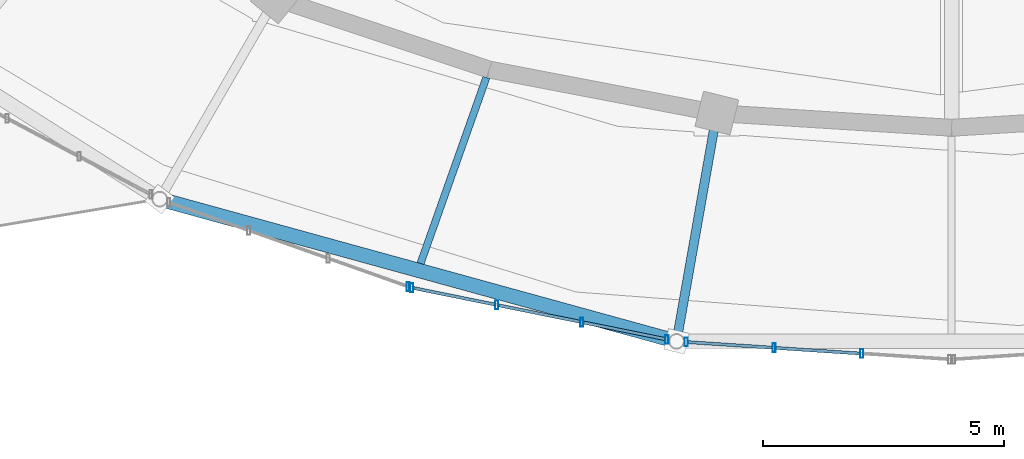
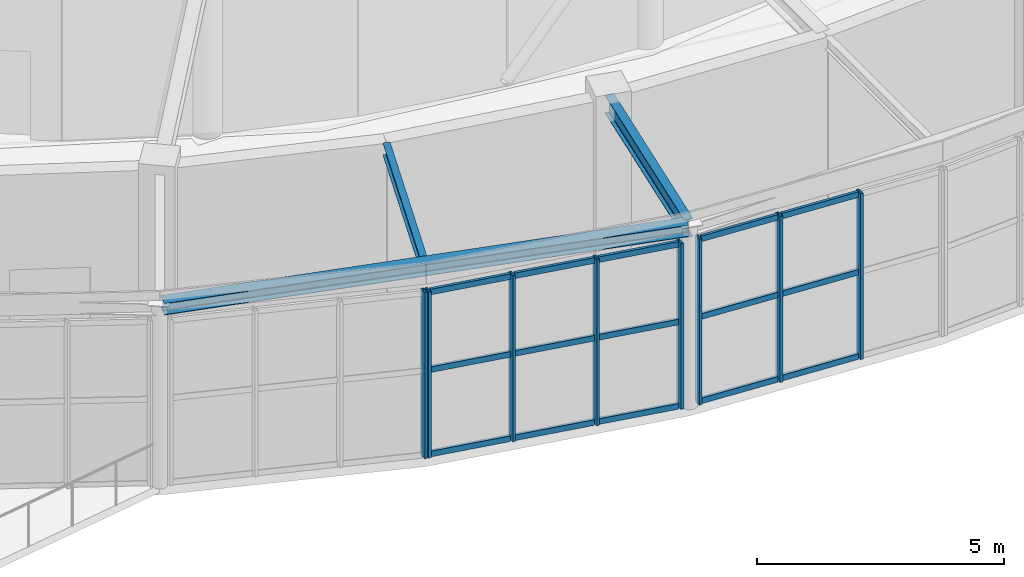
# One storey, part 38 of 108: 23 members, 3 beams, 3 elements without a shape of their own.
"""IFC4 building model written with IfcOpenShell, lengths in metres."""

from ifc_helpers import new_model, si_unit, direction, frame, origin, origin_2d, place, context, subcontext, project, spatial, hollow_rectangle, i_section, extrude, material, material_profile, profile_set, type_object, element, aggregate, save


model = new_model("IFC4")

# Units and contexts
model_context = context("Model", 3, precision=1e-05, world=origin(), true_north=direction((0.0, 1.0)))
body_context = subcontext(model_context, "Body", "Model", "MODEL_VIEW")
ifc_project = project(units=[si_unit("LENGTHUNIT", "METRE"), si_unit("AREAUNIT", "SQUARE_METRE"), si_unit("VOLUMEUNIT", "CUBIC_METRE"), si_unit("PLANEANGLEUNIT", "RADIAN"), si_unit("MASSUNIT", "GRAM", prefix="KILO")], contexts=[model_context])

# Site, building, storey
site_placement = place(None, origin())
site = spatial("IfcSite", under=ifc_project, at=site_placement, CompositionType="ELEMENT")
building_placement = place(site_placement, origin())
building = spatial("IfcBuilding", under=site, at=building_placement, Name="Tarnveldt Headland Concert Hall", CompositionType="ELEMENT")
storey_placement = place(building_placement, frame((0.0, 0.0, 9.60009765625)))
storey = spatial("IfcBuildingStorey", under=building, at=storey_placement, Name="L02", CompositionType="ELEMENT", Elevation=9.60009765625)

# Curtain wall, member
ifc_material_1 = material(Name="Marine-anodised aluminium EN AW-6063-T6", Category="aluminium")
curtain_wall_type = type_object("IfcCurtainWallType", Name="CW-F3", PredefinedType="NOTDEFINED", material=ifc_material_1)
curtain_wall_1_placement = place(storey_placement, origin())
curtain_wall_1 = element("IfcCurtainWall", 1, at=curtain_wall_1_placement, inside=storey, type_object=curtain_wall_type, Name="Curtain wall CW-L02-083", PredefinedType="NOTDEFINED")
ifc_material_profile_1 = material_profile(ifc_material_1, hollow_rectangle(XDim=0.06494140625, YDim=0.179931640625, WallThickness=0.00390625, at=origin_2d()), Name="ALU MULLION 65x180x4", Category="aluminium")
ifc_profile_set_1 = profile_set([ifc_material_profile_1], Name="Marine-anodised aluminium EN AW-6063-T6")
member_type_1 = type_object("IfcMemberType", Name="ML-180", PredefinedType="MULLION", material=ifc_profile_set_1)
member_1_placement = place(storey_placement, frame((72.243896484375, 31.208984375, 0.0), z_axis=(0.0, 0.0, 1.0), x_axis=(1.0, 0.0, 0.0)))
member_1 = element("IfcMember", 2, at=member_1_placement, type_object=member_type_1, Name="Mullion CW-L02-083-4", PredefinedType="MULLION", context=body_context, shape_type="SweptSolid", body=[
    extrude(hollow_rectangle(XDim=0.06494140625, YDim=0.179931640625, WallThickness=0.00390625, at=origin_2d()), origin(), (0.0, 0.0, 1.0), 4.10791015625),
])
aggregate(curtain_wall_1, [member_1])

# Curtain wall, members
curtain_wall_2_placement = place(storey_placement, origin())
curtain_wall_2 = element("IfcCurtainWall", 3, at=curtain_wall_2_placement, inside=storey, type_object=curtain_wall_type, Name="Curtain wall CW-L02-084", PredefinedType="NOTDEFINED")
member_2_placement = place(storey_placement, frame((72.32080078125, 31.187744140625, 0.0), z_axis=(0.0, 0.0, 1.0), x_axis=(1.0, 0.0, 0.0)))
member_2 = element("IfcMember", 4, at=member_2_placement, type_object=member_type_1, Name="Mullion CW-L02-084-1", PredefinedType="MULLION", context=body_context, shape_type="SweptSolid", body=[
    extrude(hollow_rectangle(XDim=0.06494140625, YDim=0.179931640625, WallThickness=0.00390625, at=origin_2d()), origin(), (0.0, 0.0, 1.0), 4.10791015625),
])
member_3_placement = place(storey_placement, frame((74.082763671875, 30.830810546875, 0.0), z_axis=(0.0, 0.0, 1.0), x_axis=(1.0, 0.0, 0.0)))
member_3 = element("IfcMember", 5, at=member_3_placement, type_object=member_type_1, Name="Mullion CW-L02-084-2", PredefinedType="MULLION", context=body_context, shape_type="SweptSolid", body=[
    extrude(hollow_rectangle(XDim=0.06494140625, YDim=0.179931640625, WallThickness=0.00390625, at=origin_2d()), origin(), (0.0, 0.0, 1.0), 4.10791015625),
])
member_4_placement = place(storey_placement, frame((75.844482421875, 30.473876953125, 0.0), z_axis=(0.0, 0.0, 1.0), x_axis=(1.0, 0.0, 0.0)))
member_4 = element("IfcMember", 6, at=member_4_placement, type_object=member_type_1, Name="Mullion CW-L02-084-3", PredefinedType="MULLION", context=body_context, shape_type="SweptSolid", body=[
    extrude(hollow_rectangle(XDim=0.06494140625, YDim=0.179931640625, WallThickness=0.00390625, at=origin_2d()), origin(), (0.0, 0.0, 1.0), 4.10791015625),
])
member_5_placement = place(storey_placement, frame((77.6064453125, 30.116943359375, 0.0), z_axis=(0.0, 0.0, 1.0), x_axis=(1.0, 0.0, 0.0)))
member_5 = element("IfcMember", 7, at=member_5_placement, type_object=member_type_1, Name="Mullion CW-L02-084-4", PredefinedType="MULLION", context=body_context, shape_type="SweptSolid", body=[
    extrude(hollow_rectangle(XDim=0.06494140625, YDim=0.179931640625, WallThickness=0.00390625, at=origin_2d()), origin(), (0.0, 0.0, 1.0), 4.10791015625),
])

curtain_wall_3_placement = place(storey_placement, origin())
curtain_wall_3 = element("IfcCurtainWall", 8, at=curtain_wall_3_placement, inside=storey, type_object=curtain_wall_type, Name="Curtain wall CW-L02-085", PredefinedType="NOTDEFINED")
member_6_placement = place(storey_placement, frame((78.005859375, 30.0634765625, 0.0), z_axis=(0.0, 0.0, 1.0), x_axis=(1.0, 0.0, 0.0)))
member_6 = element("IfcMember", 9, at=member_6_placement, type_object=member_type_1, Name="Mullion CW-L02-085-1", PredefinedType="MULLION", context=body_context, shape_type="SweptSolid", body=[
    extrude(hollow_rectangle(XDim=0.06494140625, YDim=0.179931640625, WallThickness=0.00390625, at=origin_2d()), origin(), (0.0, 0.0, 1.0), 4.10791015625),
])
member_7_placement = place(storey_placement, frame((79.823974609375, 29.943115234375, 0.0), z_axis=(0.0, 0.0, 1.0), x_axis=(1.0, 0.0, 0.0)))
member_7 = element("IfcMember", 10, at=member_7_placement, type_object=member_type_1, Name="Mullion CW-L02-085-2", PredefinedType="MULLION", context=body_context, shape_type="SweptSolid", body=[
    extrude(hollow_rectangle(XDim=0.06494140625, YDim=0.179931640625, WallThickness=0.00390625, at=origin_2d()), origin(), (0.0, 0.0, 1.0), 4.10791015625),
])
member_8_placement = place(storey_placement, frame((81.64208984375, 29.822998046875, 0.0), z_axis=(0.0, 0.0, 1.0), x_axis=(1.0, 0.0, 0.0)))
member_8 = element("IfcMember", 11, at=member_8_placement, type_object=member_type_1, Name="Mullion CW-L02-085-3", PredefinedType="MULLION", context=body_context, shape_type="SweptSolid", body=[
    extrude(hollow_rectangle(XDim=0.06494140625, YDim=0.179931640625, WallThickness=0.00390625, at=origin_2d()), origin(), (0.0, 0.0, 1.0), 4.10791015625),
])

# Beams
ifc_material_2 = material(Name="Steel S355", Category="steel")
ifc_material_profile_2 = material_profile(ifc_material_2, i_section(OverallWidth=0.300048828125, OverallDepth=0.2900390625, WebThickness=0.008544921875, FlangeThickness=0.013916015625, FilletRadius=0.027099609375, at=origin_2d()), Name="HEA300", Category="steel")
ifc_profile_set_2 = profile_set([ifc_material_profile_2], Name="Steel S355")
beam_type_1 = type_object("IfcBeamType", Name="SB-HEA300", PredefinedType="SPANDREL", material=ifc_profile_set_2)
beam_1_placement = place(storey_placement, frame((67.15771484375, 33.006591796875, 4.4248046875), z_axis=(0.964161617091, -0.265315616065, 0.0), x_axis=(0.265315616065, 0.964161617091, 0.0)))
element("IfcBeam", 12, at=beam_1_placement, inside=storey, type_object=beam_type_1, Name="Framing beam L02-1031", PredefinedType="SPANDREL", context=body_context, shape_type="SweptSolid", body=[
    extrude(i_section(OverallWidth=0.300048828125, OverallDepth=0.2900390625, WebThickness=0.008544921875, FlangeThickness=0.013916015625, FilletRadius=0.027099609375, at=origin_2d()), origin(), (0.0, 0.0, 1.0), 10.982421875),
])
ifc_material_profile_3 = material_profile(ifc_material_2, i_section(OverallWidth=0.14990234375, OverallDepth=0.300048828125, WebThickness=0.007080078125, FlangeThickness=0.0107421875, FilletRadius=0.014892578125, at=origin_2d()), Name="IPE300", Category="steel")
ifc_profile_set_3 = profile_set([ifc_material_profile_3], Name="Steel S355")
beam_type_2 = type_object("IfcBeamType", Name="SB-IPE300", PredefinedType="JOIST", material=ifc_profile_set_3)
beam_2_placement = place(storey_placement, frame((73.864990234375, 35.541015625, 4.419921875), z_axis=(-0.33369553072, -0.942680907188, 0.0), x_axis=(0.942680907188, -0.33369553072, 0.0)))
element("IfcBeam", 13, at=beam_2_placement, inside=storey, type_object=beam_type_2, Name="Framing beam L02-1033", PredefinedType="JOIST", context=body_context, shape_type="SweptSolid", body=[
    extrude(i_section(OverallWidth=0.14990234375, OverallDepth=0.300048828125, WebThickness=0.007080078125, FlangeThickness=0.0107421875, FilletRadius=0.014892578125, at=origin_2d()), origin(), (0.0, 0.0, 1.0), 4.083984375),
])
ifc_material_profile_4 = material_profile(ifc_material_2, i_section(OverallWidth=0.18994140625, OverallDepth=0.449951171875, WebThickness=0.009521484375, FlangeThickness=0.0146484375, FilletRadius=0.02099609375, at=origin_2d()), Name="IPE450", Category="steel")
ifc_profile_set_4 = profile_set([ifc_material_profile_4], Name="Steel S355")
beam_type_3 = type_object("IfcBeamType", Name="SB-IPE450", PredefinedType="BEAM", material=ifc_profile_set_4)
beam_3_placement = place(storey_placement, frame((78.631103515625, 34.764404296875, 4.344970703125), z_axis=(-0.173708285572, -0.984797152475, 0.0), x_axis=(0.984797152475, -0.173708285572, 0.0)))
element("IfcBeam", 14, at=beam_3_placement, inside=storey, type_object=beam_type_3, Name="Framing beam L02-1035", PredefinedType="BEAM", context=body_context, shape_type="SweptSolid", body=[
    extrude(i_section(OverallWidth=0.18994140625, OverallDepth=0.449951171875, WebThickness=0.009521484375, FlangeThickness=0.0146484375, FilletRadius=0.02099609375, at=origin_2d()), origin(), (0.0, 0.0, 1.0), 4.699951171875),
])

# Member
ifc_material_profile_5 = material_profile(ifc_material_1, hollow_rectangle(XDim=0.06494140625, YDim=0.139892578125, WallThickness=0.00390625, at=origin_2d()), Name="ALU TRANSOM 65x140x4", Category="aluminium")
ifc_profile_set_5 = profile_set([ifc_material_profile_5], Name="Marine-anodised aluminium EN AW-6063-T6")
member_type_2 = type_object("IfcMemberType", Name="TR-140", PredefinedType="MEMBER", material=ifc_profile_set_5)
member_9_placement = place(storey_placement, frame((72.364501953125, 31.178955078125, 0.0498046875), z_axis=(0.980077374986, -0.198616059372, 0.0), x_axis=(0.198616059372, 0.980077374986, 0.0)))
member_9 = element("IfcMember", 15, at=member_9_placement, type_object=member_type_2, Name="Transom CW-L02-084-1-1", PredefinedType="MEMBER", context=body_context, shape_type="SweptSolid", body=[
    extrude(hollow_rectangle(XDim=0.06494140625, YDim=0.139892578125, WallThickness=0.00390625, at=origin_2d()), origin(), (0.0, 0.0, 1.0), 1.70849609375),
])

member_10_placement = place(storey_placement, frame((72.364501953125, 31.178955078125, 2.135986328125), z_axis=(0.980077374986, -0.198616059372, 0.0), x_axis=(0.198616059372, 0.980077374986, 0.0)))
member_10 = element("IfcMember", 16, at=member_10_placement, type_object=member_type_2, Name="Transom CW-L02-084-1-2", PredefinedType="MEMBER", context=body_context, shape_type="SweptSolid", body=[
    extrude(hollow_rectangle(XDim=0.06494140625, YDim=0.139892578125, WallThickness=0.00390625, at=origin_2d()), origin(), (0.0, 0.0, 1.0), 1.70849609375),
])

member_11_placement = place(storey_placement, frame((72.364501953125, 31.178955078125, 4.057861328125), z_axis=(0.980077374986, -0.198616059372, 0.0), x_axis=(0.198616059372, 0.980077374986, 0.0)))
member_11 = element("IfcMember", 17, at=member_11_placement, type_object=member_type_2, Name="Transom CW-L02-084-1-3", PredefinedType="MEMBER", context=body_context, shape_type="SweptSolid", body=[
    extrude(hollow_rectangle(XDim=0.06494140625, YDim=0.139892578125, WallThickness=0.00390625, at=origin_2d()), origin(), (0.0, 0.0, 1.0), 1.70849609375),
])

member_12_placement = place(storey_placement, frame((74.126220703125, 30.822021484375, 0.0498046875), z_axis=(0.980083010546, -0.198588248493, 0.0), x_axis=(0.198588248493, 0.980083010546, 0.0)))
member_12 = element("IfcMember", 18, at=member_12_placement, type_object=member_type_2, Name="Transom CW-L02-084-2-1", PredefinedType="MEMBER", context=body_context, shape_type="SweptSolid", body=[
    extrude(hollow_rectangle(XDim=0.06494140625, YDim=0.139892578125, WallThickness=0.00390625, at=origin_2d()), origin(), (0.0, 0.0, 1.0), 1.708740234375),
])

member_13_placement = place(storey_placement, frame((74.126220703125, 30.822021484375, 2.135986328125), z_axis=(0.980083010546, -0.198588248493, 0.0), x_axis=(0.198588248493, 0.980083010546, 0.0)))
member_13 = element("IfcMember", 19, at=member_13_placement, type_object=member_type_2, Name="Transom CW-L02-084-2-2", PredefinedType="MEMBER", context=body_context, shape_type="SweptSolid", body=[
    extrude(hollow_rectangle(XDim=0.06494140625, YDim=0.139892578125, WallThickness=0.00390625, at=origin_2d()), origin(), (0.0, 0.0, 1.0), 1.708740234375),
])

member_14_placement = place(storey_placement, frame((74.126220703125, 30.822021484375, 4.057861328125), z_axis=(0.980083010546, -0.198588248493, 0.0), x_axis=(0.198588248493, 0.980083010546, 0.0)))
member_14 = element("IfcMember", 20, at=member_14_placement, type_object=member_type_2, Name="Transom CW-L02-084-2-3", PredefinedType="MEMBER", context=body_context, shape_type="SweptSolid", body=[
    extrude(hollow_rectangle(XDim=0.06494140625, YDim=0.139892578125, WallThickness=0.00390625, at=origin_2d()), origin(), (0.0, 0.0, 1.0), 1.708740234375),
])

member_15_placement = place(storey_placement, frame((75.88818359375, 30.465087890625, 0.0498046875), z_axis=(0.980077374986, -0.198616059372, 0.0), x_axis=(0.198616059372, 0.980077374986, 0.0)))
member_15 = element("IfcMember", 21, at=member_15_placement, type_object=member_type_2, Name="Transom CW-L02-084-3-1", PredefinedType="MEMBER", context=body_context, shape_type="SweptSolid", body=[
    extrude(hollow_rectangle(XDim=0.06494140625, YDim=0.139892578125, WallThickness=0.00390625, at=origin_2d()), origin(), (0.0, 0.0, 1.0), 1.70849609375),
])

member_16_placement = place(storey_placement, frame((75.88818359375, 30.465087890625, 2.135986328125), z_axis=(0.980077374986, -0.198616059372, 0.0), x_axis=(0.198616059372, 0.980077374986, 0.0)))
member_16 = element("IfcMember", 22, at=member_16_placement, type_object=member_type_2, Name="Transom CW-L02-084-3-2", PredefinedType="MEMBER", context=body_context, shape_type="SweptSolid", body=[
    extrude(hollow_rectangle(XDim=0.06494140625, YDim=0.139892578125, WallThickness=0.00390625, at=origin_2d()), origin(), (0.0, 0.0, 1.0), 1.70849609375),
])

member_17_placement = place(storey_placement, frame((75.88818359375, 30.465087890625, 4.057861328125), z_axis=(0.980077374986, -0.198616059372, 0.0), x_axis=(0.198616059372, 0.980077374986, 0.0)))
member_17 = element("IfcMember", 23, at=member_17_placement, type_object=member_type_2, Name="Transom CW-L02-084-3-3", PredefinedType="MEMBER", context=body_context, shape_type="SweptSolid", body=[
    extrude(hollow_rectangle(XDim=0.06494140625, YDim=0.139892578125, WallThickness=0.00390625, at=origin_2d()), origin(), (0.0, 0.0, 1.0), 1.70849609375),
])

aggregate(curtain_wall_2, [member_2, member_3, member_4, member_5, member_9, member_10, member_11, member_12, member_13, member_14, member_15, member_16, member_17])

member_18_placement = place(storey_placement, frame((78.05029296875, 30.060546875, 0.0498046875), z_axis=(0.997814977195, -0.066070199676, 0.0), x_axis=(0.066070199676, 0.997814977195, 0.0)))
member_18 = element("IfcMember", 24, at=member_18_placement, type_object=member_type_2, Name="Transom CW-L02-085-1-1", PredefinedType="MEMBER", context=body_context, shape_type="SweptSolid", body=[
    extrude(hollow_rectangle(XDim=0.06494140625, YDim=0.139892578125, WallThickness=0.00390625, at=origin_2d()), origin(), (0.0, 0.0, 1.0), 1.733154296875),
])

member_19_placement = place(storey_placement, frame((78.05029296875, 30.060546875, 2.135986328125), z_axis=(0.997814977195, -0.066070199676, 0.0), x_axis=(0.066070199676, 0.997814977195, 0.0)))
member_19 = element("IfcMember", 25, at=member_19_placement, type_object=member_type_2, Name="Transom CW-L02-085-1-2", PredefinedType="MEMBER", context=body_context, shape_type="SweptSolid", body=[
    extrude(hollow_rectangle(XDim=0.06494140625, YDim=0.139892578125, WallThickness=0.00390625, at=origin_2d()), origin(), (0.0, 0.0, 1.0), 1.733154296875),
])

member_20_placement = place(storey_placement, frame((78.05029296875, 30.060546875, 4.057861328125), z_axis=(0.997814977195, -0.066070199676, 0.0), x_axis=(0.066070199676, 0.997814977195, 0.0)))
member_20 = element("IfcMember", 26, at=member_20_placement, type_object=member_type_2, Name="Transom CW-L02-085-1-3", PredefinedType="MEMBER", context=body_context, shape_type="SweptSolid", body=[
    extrude(hollow_rectangle(XDim=0.06494140625, YDim=0.139892578125, WallThickness=0.00390625, at=origin_2d()), origin(), (0.0, 0.0, 1.0), 1.733154296875),
])

member_21_placement = place(storey_placement, frame((79.868408203125, 29.940185546875, 0.0498046875), z_axis=(0.997814977195, -0.066070199676, 0.0), x_axis=(0.066070199676, 0.997814977195, 0.0)))
member_21 = element("IfcMember", 27, at=member_21_placement, type_object=member_type_2, Name="Transom CW-L02-085-2-1", PredefinedType="MEMBER", context=body_context, shape_type="SweptSolid", body=[
    extrude(hollow_rectangle(XDim=0.06494140625, YDim=0.139892578125, WallThickness=0.00390625, at=origin_2d()), origin(), (0.0, 0.0, 1.0), 1.733154296875),
])

member_22_placement = place(storey_placement, frame((79.868408203125, 29.940185546875, 2.135986328125), z_axis=(0.997814977195, -0.066070199676, 0.0), x_axis=(0.066070199676, 0.997814977195, 0.0)))
member_22 = element("IfcMember", 28, at=member_22_placement, type_object=member_type_2, Name="Transom CW-L02-085-2-2", PredefinedType="MEMBER", context=body_context, shape_type="SweptSolid", body=[
    extrude(hollow_rectangle(XDim=0.06494140625, YDim=0.139892578125, WallThickness=0.00390625, at=origin_2d()), origin(), (0.0, 0.0, 1.0), 1.733154296875),
])

member_23_placement = place(storey_placement, frame((79.868408203125, 29.940185546875, 4.057861328125), z_axis=(0.997814977195, -0.066070199676, 0.0), x_axis=(0.066070199676, 0.997814977195, 0.0)))
member_23 = element("IfcMember", 29, at=member_23_placement, type_object=member_type_2, Name="Transom CW-L02-085-2-3", PredefinedType="MEMBER", context=body_context, shape_type="SweptSolid", body=[
    extrude(hollow_rectangle(XDim=0.06494140625, YDim=0.139892578125, WallThickness=0.00390625, at=origin_2d()), origin(), (0.0, 0.0, 1.0), 1.733154296875),
])

aggregate(curtain_wall_3, [member_6, member_7, member_8, member_18, member_19, member_20, member_21, member_22, member_23])

save(model, "model.ifc")
